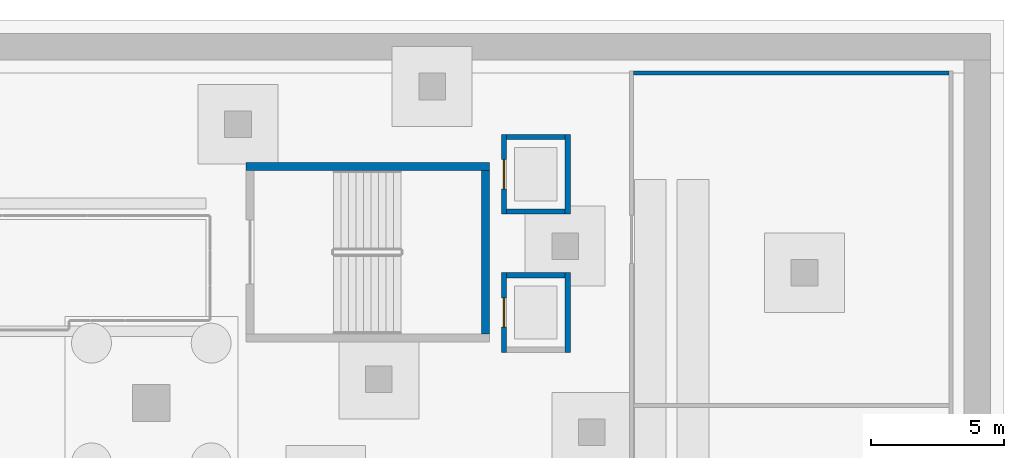
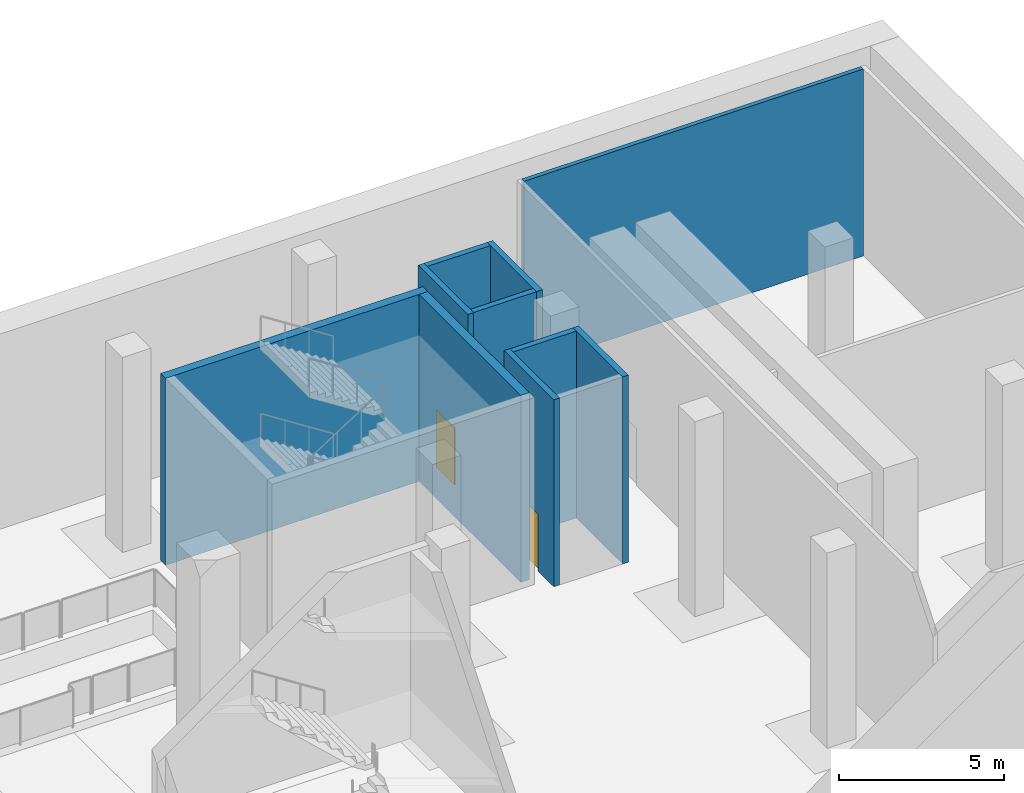
# One storey, part 5 of 15: 10 walls, 2 doors, 2 openings.
"""IFC4 building model written with IfcOpenShell, lengths in metres."""

from ifc_helpers import new_model, si_unit, direction, frame, frame_2d, origin, place, context, subcontext, project, spatial, rectangle, extrude, material, layer, layer_set, type_object, element, fill, save


model = new_model("IFC4")

# Units and contexts
model_context = context("Model", 3, precision=1e-05, world=origin(), true_north=direction((0.0, 1.0)))
body_context = subcontext(model_context, "Body", "Model", "MODEL_VIEW")
ifc_project = project(units=[si_unit("LENGTHUNIT", "METRE"), si_unit("AREAUNIT", "SQUARE_METRE"), si_unit("VOLUMEUNIT", "CUBIC_METRE"), si_unit("PLANEANGLEUNIT", "RADIAN"), si_unit("MASSUNIT", "GRAM", prefix="KILO")], contexts=[model_context])

# Site, building, storey
site_placement = place(None, origin())
site = spatial("IfcSite", under=ifc_project, at=site_placement, CompositionType="ELEMENT")
building_placement = place(site_placement, origin())
building = spatial("IfcBuilding", under=site, at=building_placement, Name="Wharfspan Tower", CompositionType="ELEMENT")
storey_placement = place(building_placement, frame((0.0, 0.0, -14.399902)))
storey = spatial("IfcBuildingStorey", under=building, at=storey_placement, Name="B2", CompositionType="ELEMENT", Elevation=-14.399902)

# Wall
ifc_material_1 = material(Name="Calcium silicate masonry", Category="masonry")
ifc_layer_1 = layer(ifc_material_1, 0.149902)
ifc_layer_set_1 = layer_set([ifc_layer_1], Name="Calcium silicate masonry")
wall_type_1 = type_object("IfcWallType", Name="Podium room wall 150", PredefinedType="PARTITIONING", material=ifc_layer_set_1)
wall_1_placement = place(storey_placement, frame((98.574951, -9.5, 0.0), z_axis=(0.0, 0.0, 1.0), x_axis=(1.0, 0.0, 0.0)))
element("IfcWall", 1, at=wall_1_placement, inside=storey, type_object=wall_type_1, Name="iw:B2:10", PredefinedType="PARTITIONING", context=body_context, shape_type="SweptSolid", body=[
    extrude(rectangle(XDim=11.850098, YDim=0.149902, at=frame_2d((5.925049, 0.0))), origin(), (0.0, 0.0, 1.0), 6.899902),
])

# Wall, opening, door
ifc_material_2 = material(Name="Concrete C30/37", Category="concrete")
ifc_layer_2 = layer(ifc_material_2, 0.199951)
ifc_layer_set_2 = layer_set([ifc_layer_2], Name="Concrete C30/37")
wall_type_2 = type_object("IfcWallType", Name="Podium shaft wall 200", PredefinedType="PARTITIONING", material=ifc_layer_set_2)
wall_2_placement = place(storey_placement, frame((93.699951, -20.0, 0.0), z_axis=(0.0, 0.0, 1.0), x_axis=(0.0, 1.0, 0.0)))
wall_2 = element("IfcWall", 2, at=wall_2_placement, inside=storey, type_object=wall_type_2, Name="pl:LP2:B2:W", PredefinedType="PARTITIONING", context=body_context, shape_type="SweptSolid", body=[
    extrude(rectangle(XDim=3.0, YDim=0.199951, at=frame_2d((1.5, 0.0))), origin(), (0.0, 0.0, 1.0), 6.899902),
])
opening_1_placement = place(wall_2_placement, frame((0.949951, 0.0, 0.0)))
opening_1 = element("IfcOpeningElement", 3, at=opening_1_placement, cuts=wall_2, Name="Opening LDP2.B2", PredefinedType="OPENING", context=body_context, shape_type="SweptSolid", body=[
    extrude(rectangle(XDim=1.100098, YDim=2.100098, at=frame_2d((0.550049, 1.050049))), frame((0.0, 0.109863, 0.0), z_axis=(0.0, -1.0, 0.0), x_axis=(1.0, 0.0, 0.0)), (0.0, 0.0, 1.0), 0.219971),
])
ifc_material_3 = material(Name="Stainless steel", Category="steel")
door_type = type_object("IfcDoorType", Name="Podium lift landing door 1100x2100", OperationType="DOUBLE_DOOR_SLIDING", PredefinedType="DOOR", material=ifc_material_3)
door_1_placement = place(opening_1_placement, origin())
door_1 = element("IfcDoor", 4, at=door_1_placement, inside=storey, type_object=door_type, Name="Landing door LP2 B2", OperationType="DOUBLE_DOOR_SLIDING", OverallHeight=2.100098, OverallWidth=1.100098, PredefinedType="DOOR", context=body_context, shape_type="SweptSolid", body=[
    extrude(rectangle(XDim=1.100098, YDim=2.100098, at=frame_2d((0.550049, 1.050049))), frame((0.0, 0.024902, 0.0), z_axis=(0.0, -1.0, 0.0), x_axis=(1.0, 0.0, 0.0)), (0.0, 0.0, 1.0), 0.050049),
])
fill(opening_1, door_1)

# Walls
wall_3_placement = place(storey_placement, frame((96.100098, -20.0, 0.0), z_axis=(0.0, 0.0, 1.0), x_axis=(0.0, 1.0, 0.0)))
element("IfcWall", 5, at=wall_3_placement, inside=storey, type_object=wall_type_2, Name="pl:LP2:B2:E", PredefinedType="PARTITIONING", context=body_context, shape_type="SweptSolid", body=[
    extrude(rectangle(XDim=3.0, YDim=0.199951, at=frame_2d((1.5, 0.0))), origin(), (0.0, 0.0, 1.0), 6.899902),
])
wall_4_placement = place(storey_placement, frame((93.800049, -17.100098, 0.0), z_axis=(0.0, 0.0, 1.0), x_axis=(1.0, 0.0, 0.0)))
element("IfcWall", 6, at=wall_4_placement, inside=storey, type_object=wall_type_2, Name="pl:LP2:B2:N", PredefinedType="PARTITIONING", context=body_context, shape_type="SweptSolid", body=[
    extrude(rectangle(XDim=2.199951, YDim=0.199951, at=frame_2d((1.100098, 0.0))), origin(), (0.0, 0.0, 1.0), 6.899902),
])

# Wall, opening, door
wall_5_placement = place(storey_placement, frame((93.699951, -14.800049, 0.0), z_axis=(0.0, 0.0, 1.0), x_axis=(0.0, 1.0, 0.0)))
wall_5 = element("IfcWall", 7, at=wall_5_placement, inside=storey, type_object=wall_type_2, Name="pl:LP4:B2:W", PredefinedType="PARTITIONING", context=body_context, shape_type="SweptSolid", body=[
    extrude(rectangle(XDim=3.0, YDim=0.199951, at=frame_2d((1.5, 0.0))), origin(), (0.0, 0.0, 1.0), 6.899902),
])
opening_2_placement = place(wall_5_placement, frame((0.949951, 0.0, 0.0)))
opening_2 = element("IfcOpeningElement", 8, at=opening_2_placement, cuts=wall_5, Name="Opening LDP4.B2", PredefinedType="OPENING", context=body_context, shape_type="SweptSolid", body=[
    extrude(rectangle(XDim=1.100098, YDim=2.100098, at=frame_2d((0.550049, 1.050049))), frame((0.0, 0.109863, 0.0), z_axis=(0.0, -1.0, 0.0), x_axis=(1.0, 0.0, 0.0)), (0.0, 0.0, 1.0), 0.219971),
])
door_2_placement = place(opening_2_placement, origin())
door_2 = element("IfcDoor", 9, at=door_2_placement, inside=storey, type_object=door_type, Name="Landing door LP4 B2", OperationType="DOUBLE_DOOR_SLIDING", OverallHeight=2.100098, OverallWidth=1.100098, PredefinedType="DOOR", context=body_context, shape_type="SweptSolid", body=[
    extrude(rectangle(XDim=1.100098, YDim=2.100098, at=frame_2d((0.550049, 1.050049))), frame((0.0, 0.024902, 0.0), z_axis=(0.0, -1.0, 0.0), x_axis=(1.0, 0.0, 0.0)), (0.0, 0.0, 1.0), 0.050049),
])
fill(opening_2, door_2)

# Walls
wall_6_placement = place(storey_placement, frame((96.100098, -14.800049, 0.0), z_axis=(0.0, 0.0, 1.0), x_axis=(0.0, 1.0, 0.0)))
element("IfcWall", 10, at=wall_6_placement, inside=storey, type_object=wall_type_2, Name="pl:LP4:B2:E", PredefinedType="PARTITIONING", context=body_context, shape_type="SweptSolid", body=[
    extrude(rectangle(XDim=3.0, YDim=0.199951, at=frame_2d((1.5, 0.0))), origin(), (0.0, 0.0, 1.0), 6.899902),
])
for number, where, z_axis, x_axis, name in (
    (11, (93.800049, -14.699951, 0.0), (0.0, 0.0, 1.0), (1.0, 0.0, 0.0), "pl:LP4:B2:S"),
    (12, (93.800049, -11.899902, 0.0), (0.0, 0.0, 1.0), (1.0, 0.0, 0.0), "pl:LP4:B2:N"),
):
    element("IfcWall", number, at=place(storey_placement, frame(where, z_axis=z_axis, x_axis=x_axis)), inside=storey, type_object=wall_type_2, Name=name, PredefinedType="PARTITIONING", context=body_context, shape_type="SweptSolid", body=[
        extrude(rectangle(XDim=2.199951, YDim=0.199951, at=frame_2d((1.100098, 0.0))), origin(), (0.0, 0.0, 1.0), 6.899902),
    ])
ifc_material_4 = material(Name="Concrete C40/50", Category="concrete")
ifc_layer_3 = layer(ifc_material_4, 0.300049)
ifc_layer_set_3 = layer_set([ifc_layer_3], Name="Concrete C40/50")
wall_type_3 = type_object("IfcWallType", Name="Podium stair core wall 300", PredefinedType="SHEAR", material=ifc_layer_set_3)
wall_7_placement = place(storey_placement, frame((84.0, -13.0, 0.0), z_axis=(0.0, 0.0, 1.0), x_axis=(1.0, 0.0, 0.0)))
element("IfcWall", 13, at=wall_7_placement, inside=storey, type_object=wall_type_3, Name="iw:B2:SB7N", PredefinedType="SHEAR", context=body_context, shape_type="SweptSolid", body=[
    extrude(rectangle(XDim=9.149902, YDim=0.300049, at=frame_2d((4.574951, 0.0))), origin(), (0.0, 0.0, 1.0), 6.899902),
])
wall_8_placement = place(storey_placement, frame((93.0, -19.300049, 0.0), z_axis=(0.0, 0.0, 1.0), x_axis=(0.0, 1.0, 0.0)))
element("IfcWall", 14, at=wall_8_placement, inside=storey, type_object=wall_type_3, Name="iw:B2:SB7E", PredefinedType="SHEAR", context=body_context, shape_type="SweptSolid", body=[
    extrude(rectangle(XDim=6.150146, YDim=0.300049, at=frame_2d((3.075195, 0.0))), origin(), (0.0, 0.0, 1.0), 6.899902),
])

save(model, "model.ifc")
